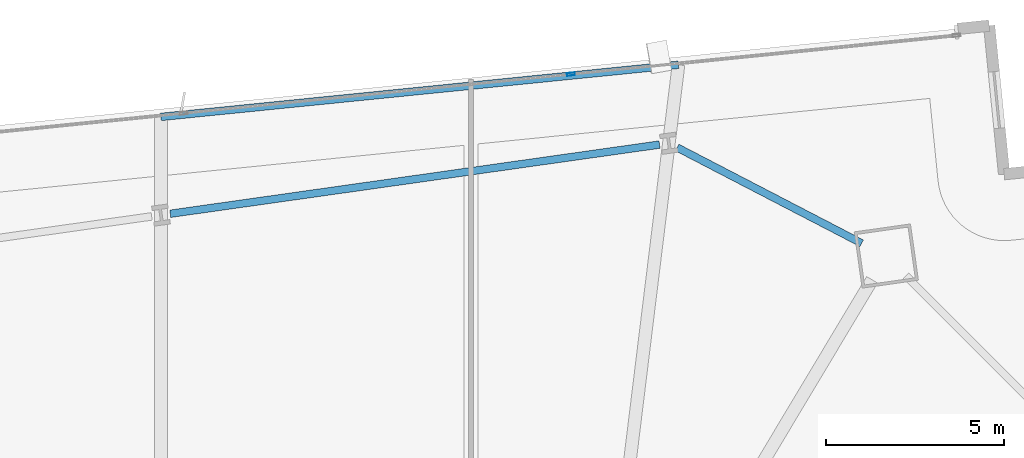
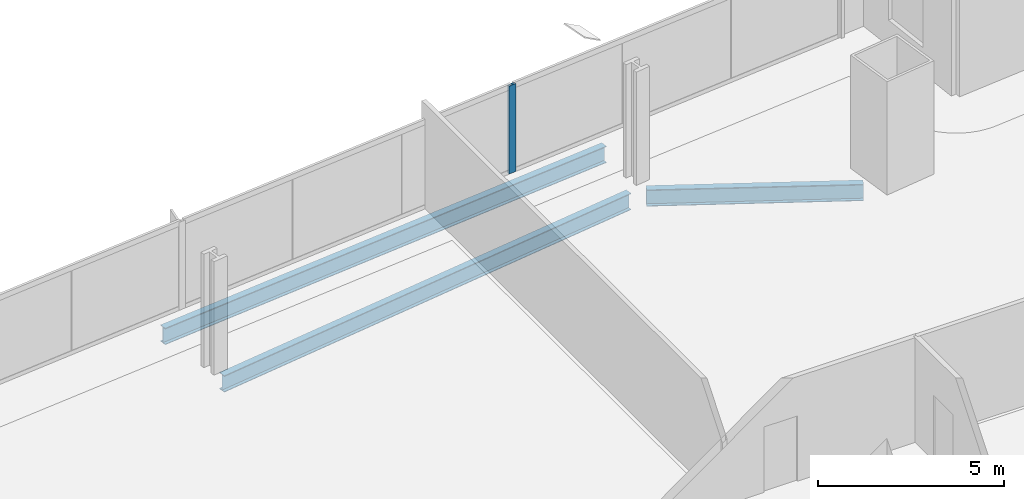
# One storey, part 22 of 33: 3 beams, 1 member, 1 element without a shape of its own.
"""IFC4 building model written with IfcOpenShell, lengths in metres."""

from ifc_helpers import new_model, si_unit, direction, frame, origin, origin_2d, place, context, subcontext, project, spatial, hollow_rectangle, i_section, extrude, material, material_profile, profile_set, type_object, element, aggregate, save


model = new_model("IFC4")

# Units and contexts
model_context = context("Model", 3, precision=1e-05, world=origin(), true_north=direction((0.0, 1.0)))
body_context = subcontext(model_context, "Body", "Model", "MODEL_VIEW")
ifc_project = project(units=[si_unit("LENGTHUNIT", "METRE"), si_unit("AREAUNIT", "SQUARE_METRE"), si_unit("VOLUMEUNIT", "CUBIC_METRE"), si_unit("PLANEANGLEUNIT", "RADIAN"), si_unit("MASSUNIT", "GRAM", prefix="KILO")], contexts=[model_context])

# Site, building, storey
site_placement = place(None, origin())
site = spatial("IfcSite", under=ifc_project, at=site_placement, CompositionType="ELEMENT")
building_placement = place(site_placement, origin())
building = spatial("IfcBuilding", under=site, at=building_placement, Name="Haldenkirk Collegiate Tower", CompositionType="ELEMENT")
storey_placement = place(building_placement, frame((0.0, 0.0, 47.699951171875)))
storey = spatial("IfcBuildingStorey", under=building, at=storey_placement, Name="L10", CompositionType="ELEMENT", Elevation=47.699951171875)

# Beams
ifc_material_1 = material(Name="Steel ASTM A992 Grade 50", Category="steel")
ifc_material_profile_1 = material_profile(ifc_material_1, i_section(OverallWidth=0.2119140625, OverallDepth=0.5439453125, WebThickness=0.01318359375, FlangeThickness=0.021240234375, at=origin_2d()), Name="W21X83")
ifc_profile_set_1 = profile_set([ifc_material_profile_1], Name="Steel ASTM A992 Grade 50")
beam_type = type_object("IfcBeamType", Name="BM-SPANDREL-W21X83", PredefinedType="SPANDREL", material=ifc_profile_set_1)
beam_1_placement = place(storey_placement, frame((52.4921875, 48.029296875, -0.58203125), z_axis=(-0.887648364794, 0.460521856678, 0.0), x_axis=(-0.460521856678, -0.887648364794, 0.0)))
element("IfcBeam", 1, at=beam_1_placement, inside=storey, type_object=beam_type, Name="L10 perimeter spandrel beam 09", PredefinedType="SPANDREL", context=body_context, shape_type="SweptSolid", body=[
    extrude(i_section(OverallWidth=0.2119140625, OverallDepth=0.5439453125, WebThickness=0.01318359375, FlangeThickness=0.021240234375, at=origin_2d()), origin(), (0.0, 0.0, 1.0), 5.848388671875),
])
beam_2_placement = place(storey_placement, frame((46.803955078125, 50.807373046875, -0.58203125), z_axis=(-0.990146197746, -0.14003752029, 0.0), x_axis=(0.14003752029, -0.990146197746, 0.0)))
element("IfcBeam", 2, at=beam_2_placement, inside=storey, type_object=beam_type, Name="L10 perimeter spandrel beam 10", PredefinedType="SPANDREL", context=body_context, shape_type="SweptSolid", body=[
    extrude(i_section(OverallWidth=0.2119140625, OverallDepth=0.5439453125, WebThickness=0.01318359375, FlangeThickness=0.021240234375, at=origin_2d()), origin(), (0.0, 0.0, 1.0), 13.906982421875),
])
beam_3_placement = place(storey_placement, frame((47.336669921875, 53.052001953125, -0.58203125), z_axis=(-0.994968590294, -0.10018734615, 0.0), x_axis=(0.10018734615, -0.994968590294, 0.0)))
element("IfcBeam", 3, at=beam_3_placement, inside=storey, type_object=beam_type, Name="L10 outer facade edge beam 3", PredefinedType="SPANDREL", context=body_context, shape_type="SweptSolid", body=[
    extrude(i_section(OverallWidth=0.2119140625, OverallDepth=0.5439453125, WebThickness=0.01318359375, FlangeThickness=0.021240234375, at=origin_2d()), origin(), (0.0, 0.0, 1.0), 14.63818359375),
])

# Curtain wall, member
ifc_material_2 = material(Name="Anodised architectural bronze aluminium", Category="aluminium")
curtain_wall_type = type_object("IfcCurtainWallType", Name="CW-SYS1-CONVEX-LOW", PredefinedType="USERDEFINED", material=ifc_material_2)
curtain_wall_placement = place(storey_placement, origin())
curtain_wall = element("IfcCurtainWall", 4, at=curtain_wall_placement, inside=storey, type_object=curtain_wall_type, Name="L10 Lower tower convex bronze-framed unitised curtain wall", ObjectType="UNITISED CURTAIN WALL", PredefinedType="USERDEFINED")
ifc_material_profile_2 = material_profile(ifc_material_2, hollow_rectangle(XDim=0.080078125, YDim=0.219970703125, WallThickness=0.0048828125, at=origin_2d()), Name="CW-MUL-1A")
ifc_profile_set_2 = profile_set([ifc_material_profile_2], Name="Anodised architectural bronze aluminium")
member_type = type_object("IfcMemberType", Name="CW-MUL-1A", PredefinedType="MULLION", material=ifc_profile_set_2)
member_placement = place(storey_placement, frame((44.30810546875, 52.787109375, 0.0), z_axis=(0.0, 0.0, 1.0), x_axis=(-0.100187271136, 0.994968597847, 0.0)))
member = element("IfcMember", 5, at=member_placement, type_object=member_type, Name="CW-1A mullion 4", PredefinedType="MULLION", context=body_context, shape_type="SweptSolid", body=[
    extrude(hollow_rectangle(XDim=0.080078125, YDim=0.219970703125, WallThickness=0.0048828125, at=origin_2d()), origin(), (0.0, 0.0, 1.0), 2.89111328125),
])
aggregate(curtain_wall, [member])

save(model, "model.ifc")
